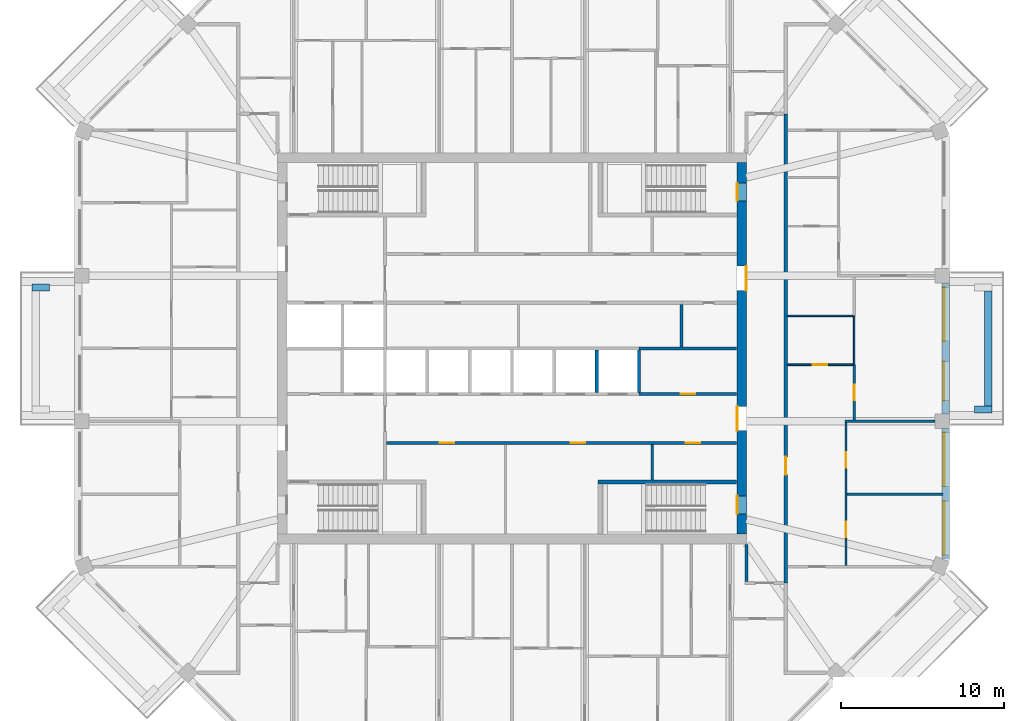
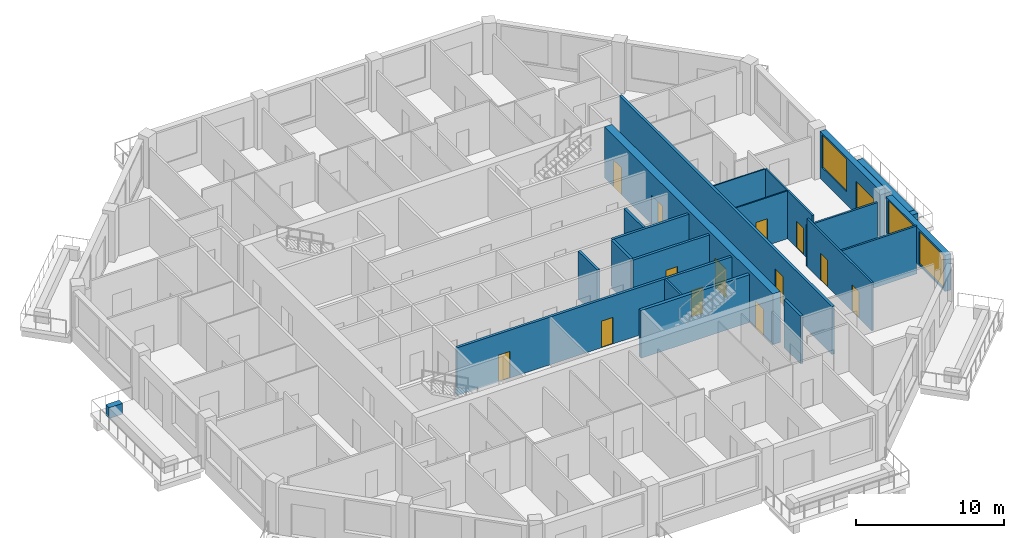
# One storey, part 6 of 13: 23 walls, 14 doors, 3 windows, 17 openings.
"""IFC4 building model written with IfcOpenShell, lengths in metres."""

from ifc_helpers import new_model, si_unit, direction, frame, frame_2d, origin, place, context, subcontext, project, spatial, rectangle, extrude, material, layer, layer_set, type_object, element, fill, save


model = new_model("IFC4")

# Units and contexts
model_context = context("Model", 3, precision=1e-05, world=origin(), true_north=direction((0.0, 1.0)))
body_context = subcontext(model_context, "Body", "Model", "MODEL_VIEW")
ifc_project = project(units=[si_unit("LENGTHUNIT", "METRE"), si_unit("AREAUNIT", "SQUARE_METRE"), si_unit("VOLUMEUNIT", "CUBIC_METRE"), si_unit("PLANEANGLEUNIT", "RADIAN"), si_unit("MASSUNIT", "GRAM", prefix="KILO")], contexts=[model_context])

# Site, building, storey
site_placement = place(None, origin())
site = spatial("IfcSite", under=ifc_project, at=site_placement, CompositionType="ELEMENT")
building_placement = place(site_placement, origin())
building = spatial("IfcBuilding", under=site, at=building_placement, Name="Msitu Wima Residences", CompositionType="ELEMENT")
storey_placement = place(building_placement, frame((0.0, 0.0, 285.300048828125)))
storey = spatial("IfcBuildingStorey", under=building, at=storey_placement, Name="L66", CompositionType="ELEMENT", Elevation=285.300048828125)

# Walls
ifc_material_1 = material(Name="Facing brick")
ifc_layer_1 = layer(ifc_material_1, 0.06494140625, Name="Facing brick")
ifc_material_2 = material(Name="Concrete C40/50", Category="concrete")
ifc_layer_2 = layer(ifc_material_2, 0.156005859375, Name="Concrete C40/50")
ifc_material_3 = material(Name="Waterproofing membrane")
ifc_layer_3 = layer(ifc_material_3, 0.00390625, Name="Waterproofing membrane")
ifc_material_4 = material(Name="Planting soil and planting")
ifc_layer_4 = layer(ifc_material_4, 0.22509765625, Name="Planting soil and planting")
ifc_layer_set_1 = layer_set([ifc_layer_1, ifc_layer_2, ifc_layer_3, ifc_layer_4], Name="Concrete C40/50")
wall_type_1 = type_object("IfcWallType", Name="Balcony planter PLANTER PL450", PredefinedType="USERDEFINED", material=ifc_layer_set_1)
wall_1_placement = place(storey_placement, frame((29.22509765625, -3.5185546875, 0.0), z_axis=(0.0, 0.0, 1.0), x_axis=(0.0, 1.0, 0.0)))
element("IfcWall", 1, at=wall_1_placement, inside=storey, type_object=wall_type_1, Name="Balcony planter E1 L66", ObjectType="PLANTER", PredefinedType="USERDEFINED", context=body_context, shape_type="SweptSolid", body=[
    extrude(rectangle(XDim=7.037109375, YDim=0.449951171875, at=frame_2d((3.5185546875, 0.0))), origin(), (0.0, 0.0, 1.0), 0.89990234375),
])
for number, where, z_axis, x_axis, name in (
    (2, (28.39990234375, -3.74365234375, 0.0), (0.0, 0.0, 1.0), (1.0, 0.0, 0.0), "Balcony planter E1 L66"),
    (3, (-28.39990234375, 3.74365234375, 0.0), (0.0, 0.0, 1.0), (-1.0, 0.0, 0.0), "Balcony planter W1 L66"),
):
    element("IfcWall", number, at=place(storey_placement, frame(where, z_axis=z_axis, x_axis=x_axis)), inside=storey, type_object=wall_type_1, Name=name, ObjectType="PLANTER", PredefinedType="USERDEFINED", context=body_context, shape_type="SweptSolid", body=[
        extrude(rectangle(XDim=1.050048828125, YDim=0.449951171875, at=frame_2d((0.52490234375, 0.0))), origin(), (0.0, 0.0, 1.0), 0.89990234375),
    ])

# Wall, openings, windows
ifc_material_5 = material(Name="Brick (red buff mix)", Category="masonry")
ifc_layer_5 = layer(ifc_material_5, 0.449951171875)
ifc_layer_set_2 = layer_set([ifc_layer_5], Name="Brick (red buff mix)")
wall_type_2 = type_object("IfcWallType", Name="Brick infill wall BW450", PredefinedType="SOLIDWALL", material=ifc_layer_set_2)
wall_2_placement = place(storey_placement, frame((26.625, -12.918701171875, 0.89990234375), z_axis=(0.0, 0.0, 1.0), x_axis=(0.0, 1.0, 0.0)))
wall_2 = element("IfcWall", 4, at=wall_2_placement, inside=storey, type_object=wall_type_2, Name="Brick infill wall L66 E0", PredefinedType="SOLIDWALL", context=body_context, shape_type="SweptSolid", body=[
    extrude(rectangle(XDim=8.0, YDim=0.449951171875, at=frame_2d((4.0, 0.0))), origin(), (0.0, 0.0, 1.0), 3.0),
])
opening_1_placement = place(wall_2_placement, frame((0.25, 0.0, 0.14990234375)))
opening_1 = element("IfcOpeningElement", 5, at=opening_1_placement, cuts=wall_2, Name="Opening W65-67.001", PredefinedType="OPENING", context=body_context, shape_type="SweptSolid", body=[
    extrude(rectangle(XDim=3.300048828125, YDim=2.699951171875, at=frame_2d((1.64990234375, 1.35009765625))), frame((0.0, 0.23486328125, 0.0), z_axis=(0.0, -1.0, 0.0), x_axis=(1.0, 0.0, 0.0)), (0.0, 0.0, 1.0), 0.469970703125),
])
opening_2_placement = place(wall_2_placement, frame((4.4501953125, 0.0, 0.14990234375)))
opening_2 = element("IfcOpeningElement", 6, at=opening_2_placement, cuts=wall_2, Name="Opening W65-67.002", PredefinedType="OPENING", context=body_context, shape_type="SweptSolid", body=[
    extrude(rectangle(XDim=3.300048828125, YDim=2.699951171875, at=frame_2d((1.64990234375, 1.35009765625))), frame((0.0, 0.23486328125, 0.0), z_axis=(0.0, -1.0, 0.0), x_axis=(1.0, 0.0, 0.0)), (0.0, 0.0, 1.0), 0.469970703125),
])
ifc_material_6 = material(Name="Anodised aluminium, bronze finish, clear low-emissivity double glazing", Category="aluminium")
window_type = type_object("IfcWindowType", Name="Window W3300x2700", PartitioningType="DOUBLE_PANEL_VERTICAL", PredefinedType="WINDOW", material=ifc_material_6)
window_1_placement = place(opening_1_placement, origin())
window_1 = element("IfcWindow", 7, at=window_1_placement, inside=storey, type_object=window_type, Name="Window L66 E0.1", OverallHeight=2.699951171875, OverallWidth=3.300048828125, PartitioningType="SINGLE_PANEL", PredefinedType="WINDOW", context=body_context, shape_type="SweptSolid", body=[
    extrude(rectangle(XDim=3.300048828125, YDim=2.699951171875, at=frame_2d((1.64990234375, 1.35009765625))), frame((0.0, 0.135009765625, 0.0), z_axis=(0.0, -1.0, 0.0), x_axis=(1.0, 0.0, 0.0)), (0.0, 0.0, 1.0), 0.06005859375),
])
fill(opening_1, window_1)
window_2_placement = place(opening_2_placement, origin())
window_2 = element("IfcWindow", 8, at=window_2_placement, inside=storey, type_object=window_type, Name="Window L66 E0.2", OverallHeight=2.699951171875, OverallWidth=3.300048828125, PartitioningType="SINGLE_PANEL", PredefinedType="WINDOW", context=body_context, shape_type="SweptSolid", body=[
    extrude(rectangle(XDim=3.300048828125, YDim=2.699951171875, at=frame_2d((1.64990234375, 1.35009765625))), frame((0.0, 0.135009765625, 0.0), z_axis=(0.0, -1.0, 0.0), x_axis=(1.0, 0.0, 0.0)), (0.0, 0.0, 1.0), 0.06005859375),
])
fill(opening_2, window_2)

# Wall, openings, door, window
wall_3_placement = place(storey_placement, frame((26.625, -4.0185546875, 0.0), z_axis=(0.0, 0.0, 1.0), x_axis=(0.0, 1.0, 0.0)))
wall_3 = element("IfcWall", 9, at=wall_3_placement, inside=storey, type_object=wall_type_2, Name="Brick infill wall L66 E1", PredefinedType="SOLIDWALL", context=body_context, shape_type="SweptSolid", body=[
    extrude(rectangle(XDim=8.037109375, YDim=0.449951171875, at=frame_2d((4.0185546875, 0.0))), origin(), (0.0, 0.0, 1.0), 3.89990234375),
])
opening_3_placement = place(wall_3_placement, frame((0.809326171875, 0.0, 0.0)))
opening_3 = element("IfcOpeningElement", 10, at=opening_3_placement, cuts=wall_3, Name="Opening D65-67.001", PredefinedType="OPENING", context=body_context, shape_type="SweptSolid", body=[
    extrude(rectangle(XDim=2.39990234375, YDim=2.699951171875, at=frame_2d((1.199951171875, 1.35009765625))), frame((0.0, 0.23486328125, 0.0), z_axis=(0.0, -1.0, 0.0), x_axis=(1.0, 0.0, 0.0)), (0.0, 0.0, 1.0), 0.469970703125),
])
opening_4_placement = place(wall_3_placement, frame((4.46875, 0.0, 1.050048828125)))
opening_4 = element("IfcOpeningElement", 11, at=opening_4_placement, cuts=wall_3, Name="Opening W65-67.003", PredefinedType="OPENING", context=body_context, shape_type="SweptSolid", body=[
    extrude(rectangle(XDim=3.300048828125, YDim=2.699951171875, at=frame_2d((1.64990234375, 1.35009765625))), frame((0.0, 0.23486328125, 0.0), z_axis=(0.0, -1.0, 0.0), x_axis=(1.0, 0.0, 0.0)), (0.0, 0.0, 1.0), 0.469970703125),
])
door_type_1 = type_object("IfcDoorType", Name="Balcony door D2400x2700", OperationType="SLIDING_TO_LEFT", PredefinedType="DOOR", material=ifc_material_6)
door_1_placement = place(opening_3_placement, origin())
door_1 = element("IfcDoor", 12, at=door_1_placement, inside=storey, type_object=door_type_1, Name="Balcony door L66 E1", OperationType="SINGLE_SWING_LEFT", OverallHeight=2.699951171875, OverallWidth=2.39990234375, PredefinedType="DOOR", context=body_context, shape_type="SweptSolid", body=[
    extrude(rectangle(XDim=2.39990234375, YDim=2.699951171875, at=frame_2d((1.199951171875, 1.35009765625))), frame((0.0, 0.1298828125, 0.0), z_axis=(0.0, -1.0, 0.0), x_axis=(1.0, 0.0, 0.0)), (0.0, 0.0, 1.0), 0.050048828125),
])
fill(opening_3, door_1)
window_3_placement = place(opening_4_placement, origin())
window_3 = element("IfcWindow", 13, at=window_3_placement, inside=storey, type_object=window_type, Name="Window L66 E1.2", OverallHeight=2.699951171875, OverallWidth=3.300048828125, PartitioningType="SINGLE_PANEL", PredefinedType="WINDOW", context=body_context, shape_type="SweptSolid", body=[
    extrude(rectangle(XDim=3.300048828125, YDim=2.699951171875, at=frame_2d((1.64990234375, 1.35009765625))), frame((0.0, 0.135009765625, 0.0), z_axis=(0.0, -1.0, 0.0), x_axis=(1.0, 0.0, 0.0)), (0.0, 0.0, 1.0), 0.06005859375),
])
fill(opening_4, window_3)

# Wall, openings, doors
ifc_material_7 = material(Name="Concrete C50/60", Category="concrete")
ifc_layer_6 = layer(ifc_material_7, 0.60009765625)
ifc_layer_set_3 = layer_set([ifc_layer_6], Name="Concrete C50/60")
wall_type_3 = type_object("IfcWallType", Name="Core wall CW600 C50/60", PredefinedType="SHEAR", material=ifc_layer_set_3)
wall_4_placement = place(storey_placement, frame((14.10009765625, -11.39990234375, 0.0), z_axis=(0.0, 0.0, 1.0), x_axis=(0.0, 1.0, 0.0)))
wall_4 = element("IfcWall", 14, at=wall_4_placement, inside=storey, type_object=wall_type_3, Name="Core wall", PredefinedType="SHEAR", context=body_context, shape_type="SweptSolid", body=[
    extrude(rectangle(XDim=22.7998046875, YDim=0.60009765625, at=frame_2d((11.39990234375, 0.0))), origin(), (0.0, 0.0, 1.0), 4.199951171875),
])
opening_5_placement = place(wall_4_placement, frame((20.449951171875, 0.0, 0.0)))
opening_5 = element("IfcOpeningElement", 15, at=opening_5_placement, cuts=wall_4, Name="Opening D65-67.096", PredefinedType="OPENING", context=body_context, shape_type="SweptSolid", body=[
    extrude(rectangle(XDim=1.10009765625, YDim=2.199951171875, at=frame_2d((0.550048828125, 1.10009765625))), frame((0.0, 0.31005859375, 0.0), z_axis=(0.0, -1.0, 0.0), x_axis=(1.0, 0.0, 0.0)), (0.0, 0.0, 1.0), 0.6201171875),
])
opening_6_placement = place(wall_4_placement, frame((1.25, 0.0, 0.0)))
opening_6 = element("IfcOpeningElement", 16, at=opening_6_placement, cuts=wall_4, Name="Opening D65-67.097", PredefinedType="OPENING", context=body_context, shape_type="SweptSolid", body=[
    extrude(rectangle(XDim=1.10009765625, YDim=2.199951171875, at=frame_2d((0.550048828125, 1.10009765625))), frame((0.0, 0.31005859375, 0.0), z_axis=(0.0, -1.0, 0.0), x_axis=(1.0, 0.0, 0.0)), (0.0, 0.0, 1.0), 0.6201171875),
])
opening_7_placement = place(wall_4_placement, frame((14.949951171875, 0.0, 0.0)))
opening_7 = element("IfcOpeningElement", 17, at=opening_7_placement, cuts=wall_4, Name="Opening D65-67.086", PredefinedType="OPENING", context=body_context, shape_type="SweptSolid", body=[
    extrude(rectangle(XDim=1.5, YDim=2.39990234375, at=frame_2d((0.75, 1.199951171875))), frame((0.0, 0.31005859375, 0.0), z_axis=(0.0, -1.0, 0.0), x_axis=(1.0, 0.0, 0.0)), (0.0, 0.0, 1.0), 0.6201171875),
])
opening_8_placement = place(wall_4_placement, frame((6.35009765625, 0.0, 0.0)))
opening_8 = element("IfcOpeningElement", 18, at=opening_8_placement, cuts=wall_4, Name="Opening D65-67.087", PredefinedType="OPENING", context=body_context, shape_type="SweptSolid", body=[
    extrude(rectangle(XDim=1.5, YDim=2.39990234375, at=frame_2d((0.75, 1.199951171875))), frame((0.0, 0.31005859375, 0.0), z_axis=(0.0, -1.0, 0.0), x_axis=(1.0, 0.0, 0.0)), (0.0, 0.0, 1.0), 0.6201171875),
])
ifc_material_8 = material(Name="Steel framed glazed door, fire resisting", Category="steel")
door_type_2 = type_object("IfcDoorType", Name="Lobby door D07 1500x2400", OperationType="DOUBLE_DOOR_SINGLE_SWING", PredefinedType="DOOR", material=ifc_material_8)
door_2_placement = place(opening_7_placement, origin())
door_2 = element("IfcDoor", 19, at=door_2_placement, inside=storey, type_object=door_type_2, Name="Lobby door", OperationType="DOUBLE_DOOR_SINGLE_SWING", OverallHeight=2.39990234375, OverallWidth=1.5, PredefinedType="DOOR", context=body_context, shape_type="SweptSolid", body=[
    extrude(rectangle(XDim=1.5, YDim=2.39990234375, at=frame_2d((0.75, 1.199951171875))), frame((0.0, -0.2451171875, 0.0), z_axis=(0.0, -1.0, 0.0), x_axis=(1.0, 0.0, 0.0)), (0.0, 0.0, 1.0), 0.050048828125),
])
fill(opening_7, door_2)
door_3_placement = place(opening_8_placement, origin())
door_3 = element("IfcDoor", 20, at=door_3_placement, inside=storey, type_object=door_type_2, Name="Lobby door", OperationType="DOUBLE_DOOR_SINGLE_SWING", OverallHeight=2.39990234375, OverallWidth=1.5, PredefinedType="DOOR", context=body_context, shape_type="SweptSolid", body=[
    extrude(rectangle(XDim=1.5, YDim=2.39990234375, at=frame_2d((0.75, 1.199951171875))), frame((0.0, 0.294921875, 0.0), z_axis=(0.0, -1.0, 0.0), x_axis=(1.0, 0.0, 0.0)), (0.0, 0.0, 1.0), 0.050048828125),
])
fill(opening_8, door_3)
ifc_material_9 = material(Name="Steel door, fire resisting, panic bar", Category="steel")
door_type_3 = type_object("IfcDoorType", Name="Stair door D06 1100x2200", OperationType="SINGLE_SWING_LEFT", PredefinedType="DOOR", material=ifc_material_9)
door_4_placement = place(opening_5_placement, origin())
door_4 = element("IfcDoor", 21, at=door_4_placement, inside=storey, type_object=door_type_3, Name="Stair door", OperationType="SINGLE_SWING_LEFT", OverallHeight=2.199951171875, OverallWidth=1.10009765625, PredefinedType="DOOR", context=body_context, shape_type="SweptSolid", body=[
    extrude(rectangle(XDim=1.10009765625, YDim=2.199951171875, at=frame_2d((0.550048828125, 1.10009765625))), frame((0.0, 0.294921875, 0.0), z_axis=(0.0, -1.0, 0.0), x_axis=(1.0, 0.0, 0.0)), (0.0, 0.0, 1.0), 0.050048828125),
])
fill(opening_5, door_4)
door_5_placement = place(opening_6_placement, origin())
door_5 = element("IfcDoor", 22, at=door_5_placement, inside=storey, type_object=door_type_3, Name="Stair door", OperationType="SINGLE_SWING_RIGHT", OverallHeight=2.199951171875, OverallWidth=1.10009765625, PredefinedType="DOOR", context=body_context, shape_type="SweptSolid", body=[
    extrude(rectangle(XDim=1.10009765625, YDim=2.199951171875, at=frame_2d((0.550048828125, 1.10009765625))), frame((0.0, 0.294921875, 0.0), z_axis=(0.0, -1.0, 0.0), x_axis=(1.0, 0.0, 0.0)), (0.0, 0.0, 1.0), 0.050048828125),
])
fill(opening_6, door_5)

ifc_material_10 = material(Name="Plaster")
ifc_layer_7 = layer(ifc_material_10, 0.011962890625, Name="Plaster")
ifc_material_11 = material(Name="Concrete blockwork", Category="masonry")
ifc_layer_8 = layer(ifc_material_11, 0.176025390625, Name="Concrete blockwork")
ifc_layer_9 = layer(ifc_material_10, 0.011962890625, Name="Plaster")
ifc_layer_set_4 = layer_set([ifc_layer_7, ifc_layer_8, ifc_layer_9], Name="Concrete blockwork")
wall_type_4 = type_object("IfcWallType", Name="Corridor wall FW200", PredefinedType="PARTITIONING", material=ifc_layer_set_4)
wall_5_placement = place(storey_placement, frame((-7.699951171875, -5.800048828125, 0.0), z_axis=(0.0, 0.0, 1.0), x_axis=(1.0, 0.0, 0.0)))
wall_5 = element("IfcWall", 23, at=wall_5_placement, inside=storey, type_object=wall_type_4, Name="Corridor wall", PredefinedType="PARTITIONING", context=body_context, shape_type="SweptSolid", body=[
    extrude(rectangle(XDim=21.469970703125, YDim=0.199951171875, at=frame_2d((10.73486328125, 0.0))), origin(), (0.0, 0.0, 1.0), 3.949951171875),
])
opening_9_placement = place(wall_5_placement, frame((3.25, 0.0, 0.0)))
opening_9 = element("IfcOpeningElement", 24, at=opening_9_placement, cuts=wall_5, Name="Opening D65-67.083", PredefinedType="OPENING", context=body_context, shape_type="SweptSolid", body=[
    extrude(rectangle(XDim=0.89990234375, YDim=2.199951171875, at=frame_2d((0.449951171875, 1.10009765625))), frame((0.0, 0.10986328125, 0.0), z_axis=(0.0, -1.0, 0.0), x_axis=(1.0, 0.0, 0.0)), (0.0, 0.0, 1.0), 0.219970703125),
])
opening_10_placement = place(wall_5_placement, frame((11.300048828125, 0.0, 0.0)))
opening_10 = element("IfcOpeningElement", 25, at=opening_10_placement, cuts=wall_5, Name="Opening D65-67.084", PredefinedType="OPENING", context=body_context, shape_type="SweptSolid", body=[
    extrude(rectangle(XDim=0.89990234375, YDim=2.199951171875, at=frame_2d((0.449951171875, 1.10009765625))), frame((0.0, 0.10986328125, 0.0), z_axis=(0.0, -1.0, 0.0), x_axis=(1.0, 0.0, 0.0)), (0.0, 0.0, 1.0), 0.219970703125),
])
opening_11_placement = place(wall_5_placement, frame((18.35009765625, 0.0, 0.0)))
opening_11 = element("IfcOpeningElement", 26, at=opening_11_placement, cuts=wall_5, Name="Opening D65-67.085", PredefinedType="OPENING", context=body_context, shape_type="SweptSolid", body=[
    extrude(rectangle(XDim=0.89990234375, YDim=2.199951171875, at=frame_2d((0.449951171875, 1.10009765625))), frame((0.0, 0.10986328125, 0.0), z_axis=(0.0, -1.0, 0.0), x_axis=(1.0, 0.0, 0.0)), (0.0, 0.0, 1.0), 0.219970703125),
])
ifc_material_12 = material(Name="Timber flush door", Category="wood")
door_type_4 = type_object("IfcDoorType", Name="Service door D05 900x2200", OperationType="SINGLE_SWING_LEFT", PredefinedType="DOOR", material=ifc_material_12)
door_6_placement = place(opening_9_placement, origin())
door_6 = element("IfcDoor", 27, at=door_6_placement, inside=storey, type_object=door_type_4, Name="Service door", OperationType="SINGLE_SWING_RIGHT", OverallHeight=2.199951171875, OverallWidth=0.89990234375, PredefinedType="DOOR", context=body_context, shape_type="SweptSolid", body=[
    extrude(rectangle(XDim=0.89990234375, YDim=2.199951171875, at=frame_2d((0.449951171875, 1.10009765625))), frame((0.0, 0.02490234375, 0.0), z_axis=(0.0, -1.0, 0.0), x_axis=(1.0, 0.0, 0.0)), (0.0, 0.0, 1.0), 0.050048828125),
])
fill(opening_9, door_6)
door_7_placement = place(opening_10_placement, origin())
door_7 = element("IfcDoor", 28, at=door_7_placement, inside=storey, type_object=door_type_4, Name="Service door", OperationType="SINGLE_SWING_LEFT", OverallHeight=2.199951171875, OverallWidth=0.89990234375, PredefinedType="DOOR", context=body_context, shape_type="SweptSolid", body=[
    extrude(rectangle(XDim=0.89990234375, YDim=2.199951171875, at=frame_2d((0.449951171875, 1.10009765625))), frame((0.0, 0.02490234375, 0.0), z_axis=(0.0, -1.0, 0.0), x_axis=(1.0, 0.0, 0.0)), (0.0, 0.0, 1.0), 0.050048828125),
])
fill(opening_10, door_7)
door_8_placement = place(opening_11_placement, origin())
door_8 = element("IfcDoor", 29, at=door_8_placement, inside=storey, type_object=door_type_4, Name="Service door", OperationType="SINGLE_SWING_RIGHT", OverallHeight=2.199951171875, OverallWidth=0.89990234375, PredefinedType="DOOR", context=body_context, shape_type="SweptSolid", body=[
    extrude(rectangle(XDim=0.89990234375, YDim=2.199951171875, at=frame_2d((0.449951171875, 1.10009765625))), frame((0.0, 0.02490234375, 0.0), z_axis=(0.0, -1.0, 0.0), x_axis=(1.0, 0.0, 0.0)), (0.0, 0.0, 1.0), 0.050048828125),
])
fill(opening_11, door_8)

# Wall
wall_6_placement = place(storey_placement, frame((14.39990234375, -14.300048828125, 0.0), z_axis=(0.0, 0.0, 1.0), x_axis=(0.0, 1.0, 0.0)))
element("IfcWall", 30, at=wall_6_placement, inside=storey, type_object=wall_type_4, Name="Corridor wall", PredefinedType="PARTITIONING", context=body_context, shape_type="SweptSolid", body=[
    extrude(rectangle(XDim=2.27001953125, YDim=0.199951171875, at=frame_2d((1.135009765625, 0.0))), origin(), (0.0, 0.0, 1.0), 3.949951171875),
])

# Wall, opening, door
wall_7_placement = place(storey_placement, frame((16.800048828125, -14.39990234375, 0.0), z_axis=(0.0, 0.0, 1.0), x_axis=(0.0, 1.0, 0.0)))
wall_7 = element("IfcWall", 31, at=wall_7_placement, inside=storey, type_object=wall_type_4, Name="Corridor wall", PredefinedType="PARTITIONING", context=body_context, shape_type="SweptSolid", body=[
    extrude(rectangle(XDim=28.7998046875, YDim=0.199951171875, at=frame_2d((14.39990234375, 0.0))), origin(), (0.0, 0.0, 1.0), 3.949951171875),
])
opening_12_placement = place(wall_7_placement, frame((6.64990234375, 0.0, 0.0)))
opening_12 = element("IfcOpeningElement", 32, at=opening_12_placement, cuts=wall_7, Name="Opening D65-67.011", PredefinedType="OPENING", context=body_context, shape_type="SweptSolid", body=[
    extrude(rectangle(XDim=1.10009765625, YDim=2.39990234375, at=frame_2d((0.550048828125, 1.199951171875))), frame((0.0, 0.10986328125, 0.0), z_axis=(0.0, -1.0, 0.0), x_axis=(1.0, 0.0, 0.0)), (0.0, 0.0, 1.0), 0.219970703125),
])
ifc_material_13 = material(Name="Timber flush door, fire resisting, self-closing", Category="wood")
door_type_5 = type_object("IfcDoorType", Name="Flat entrance door D01 1100x2400", OperationType="SINGLE_SWING_LEFT", PredefinedType="DOOR", material=ifc_material_13)
door_9_placement = place(opening_12_placement, origin())
door_9 = element("IfcDoor", 33, at=door_9_placement, inside=storey, type_object=door_type_5, Name="Flat entrance door", OperationType="SINGLE_SWING_RIGHT", OverallHeight=2.39990234375, OverallWidth=1.10009765625, PredefinedType="DOOR", context=body_context, shape_type="SweptSolid", body=[
    extrude(rectangle(XDim=1.10009765625, YDim=2.39990234375, at=frame_2d((0.550048828125, 1.199951171875))), frame((0.0, 0.02490234375, 0.0), z_axis=(0.0, -1.0, 0.0), x_axis=(1.0, 0.0, 0.0)), (0.0, 0.0, 1.0), 0.050048828125),
])
fill(opening_12, door_9)

# Wall
ifc_layer_10 = layer(ifc_material_10, 0.011962890625, Name="Plaster")
ifc_layer_11 = layer(ifc_material_11, 0.1259765625, Name="Concrete blockwork")
ifc_layer_12 = layer(ifc_material_10, 0.011962890625, Name="Plaster")
ifc_layer_set_5 = layer_set([ifc_layer_10, ifc_layer_11, ifc_layer_12], Name="Concrete blockwork")
wall_type_5 = type_object("IfcWallType", Name="Partition PW150", PredefinedType="PARTITIONING", material=ifc_layer_set_5)
wall_8_placement = place(storey_placement, frame((8.60009765625, -8.074951171875, 0.0), z_axis=(0.0, 0.0, 1.0), x_axis=(0.0, 1.0, 0.0)))
element("IfcWall", 34, at=wall_8_placement, inside=storey, type_object=wall_type_5, Name="Partition", PredefinedType="PARTITIONING", context=body_context, shape_type="SweptSolid", body=[
    extrude(rectangle(XDim=2.175048828125, YDim=0.14990234375, at=frame_2d((1.08740234375, 0.0))), origin(), (0.0, 0.0, 1.0), 3.949951171875),
])

# Wall, openings, doors
wall_9_placement = place(storey_placement, frame((20.5, -13.330810546875, 0.0), z_axis=(0.0, 0.0, 1.0), x_axis=(0.0, 1.0, 0.0)))
wall_9 = element("IfcWall", 35, at=wall_9_placement, inside=storey, type_object=wall_type_5, Name="Partition", PredefinedType="PARTITIONING", context=body_context, shape_type="SweptSolid", body=[
    extrude(rectangle(XDim=8.787109375, YDim=0.14990234375, at=frame_2d((4.3935546875, 0.0))), origin(), (0.0, 0.0, 1.0), 3.949951171875),
])
opening_13_placement = place(wall_9_placement, frame((1.75, 0.0, 0.0)))
opening_13 = element("IfcOpeningElement", 36, at=opening_13_placement, cuts=wall_9, Name="Opening D65-67.015", PredefinedType="OPENING", context=body_context, shape_type="SweptSolid", body=[
    extrude(rectangle(XDim=0.949951171875, YDim=2.199951171875, at=frame_2d((0.47509765625, 1.10009765625))), frame((0.0, 0.0849609375, 0.0), z_axis=(0.0, -1.0, 0.0), x_axis=(1.0, 0.0, 0.0)), (0.0, 0.0, 1.0), 0.169921875),
])
opening_14_placement = place(wall_9_placement, frame((6.0, 0.0, 0.0)))
opening_14 = element("IfcOpeningElement", 37, at=opening_14_placement, cuts=wall_9, Name="Opening D65-67.016", PredefinedType="OPENING", context=body_context, shape_type="SweptSolid", body=[
    extrude(rectangle(XDim=0.949951171875, YDim=2.199951171875, at=frame_2d((0.47509765625, 1.10009765625))), frame((0.0, 0.0849609375, 0.0), z_axis=(0.0, -1.0, 0.0), x_axis=(1.0, 0.0, 0.0)), (0.0, 0.0, 1.0), 0.169921875),
])
door_type_6 = type_object("IfcDoorType", Name="Room door D12 950x2200", OperationType="SINGLE_SWING_LEFT", PredefinedType="DOOR", material=ifc_material_12)
door_10_placement = place(opening_13_placement, origin())
door_10 = element("IfcDoor", 38, at=door_10_placement, inside=storey, type_object=door_type_6, Name="Room door", OperationType="SINGLE_SWING_LEFT", OverallHeight=2.199951171875, OverallWidth=0.949951171875, PredefinedType="DOOR", context=body_context, shape_type="SweptSolid", body=[
    extrude(rectangle(XDim=0.949951171875, YDim=2.199951171875, at=frame_2d((0.47509765625, 1.10009765625))), frame((0.0, 0.02490234375, 0.0), z_axis=(0.0, -1.0, 0.0), x_axis=(1.0, 0.0, 0.0)), (0.0, 0.0, 1.0), 0.050048828125),
])
fill(opening_13, door_10)
door_11_placement = place(opening_14_placement, origin())
door_11 = element("IfcDoor", 39, at=door_11_placement, inside=storey, type_object=door_type_6, Name="Room door", OperationType="SINGLE_SWING_RIGHT", OverallHeight=2.199951171875, OverallWidth=0.949951171875, PredefinedType="DOOR", context=body_context, shape_type="SweptSolid", body=[
    extrude(rectangle(XDim=0.949951171875, YDim=2.199951171875, at=frame_2d((0.47509765625, 1.10009765625))), frame((0.0, 0.02490234375, 0.0), z_axis=(0.0, -1.0, 0.0), x_axis=(1.0, 0.0, 0.0)), (0.0, 0.0, 1.0), 0.050048828125),
])
fill(opening_14, door_11)

# Walls
wall_10_placement = place(storey_placement, frame((20.574951171875, -8.937255859375, 0.0), z_axis=(0.0, 0.0, 1.0), x_axis=(1.0, 0.0, 0.0)))
element("IfcWall", 40, at=wall_10_placement, inside=storey, type_object=wall_type_5, Name="Partition", PredefinedType="PARTITIONING", context=body_context, shape_type="SweptSolid", body=[
    extrude(rectangle(XDim=5.880126953125, YDim=0.14990234375, at=frame_2d((2.93994140625, 0.0))), origin(), (0.0, 0.0, 1.0), 3.949951171875),
])
wall_11_placement = place(storey_placement, frame((20.425048828125, -4.46875, 0.0), z_axis=(0.0, 0.0, 1.0), x_axis=(1.0, 0.0, 0.0)))
element("IfcWall", 41, at=wall_11_placement, inside=storey, type_object=wall_type_5, Name="Partition", PredefinedType="PARTITIONING", context=body_context, shape_type="SweptSolid", body=[
    extrude(rectangle(XDim=5.52490234375, YDim=0.14990234375, at=frame_2d((2.762451171875, 0.0))), origin(), (0.0, 0.0, 1.0), 3.349853515625),
])

# Wall, opening, door
wall_12_placement = place(storey_placement, frame((21.0, -4.3935546875, 0.0), z_axis=(0.0, 0.0, 1.0), x_axis=(0.0, 1.0, 0.0)))
wall_12 = element("IfcWall", 42, at=wall_12_placement, inside=storey, type_object=wall_type_5, Name="Partition", PredefinedType="PARTITIONING", context=body_context, shape_type="SweptSolid", body=[
    extrude(rectangle(XDim=3.3935546875, YDim=0.14990234375, at=frame_2d((1.69677734375, 0.0))), origin(), (0.0, 0.0, 1.0), 3.949951171875),
])
opening_15_placement = place(wall_12_placement, frame((1.199951171875, 0.0, 0.0)))
opening_15 = element("IfcOpeningElement", 43, at=opening_15_placement, cuts=wall_12, Name="Opening D65-67.017", PredefinedType="OPENING", context=body_context, shape_type="SweptSolid", body=[
    extrude(rectangle(XDim=0.949951171875, YDim=2.199951171875, at=frame_2d((0.47509765625, 1.10009765625))), frame((0.0, 0.0849609375, 0.0), z_axis=(0.0, -1.0, 0.0), x_axis=(1.0, 0.0, 0.0)), (0.0, 0.0, 1.0), 0.169921875),
])
door_12_placement = place(opening_15_placement, origin())
door_12 = element("IfcDoor", 44, at=door_12_placement, inside=storey, type_object=door_type_6, Name="Room door", OperationType="SINGLE_SWING_RIGHT", OverallHeight=2.199951171875, OverallWidth=0.949951171875, PredefinedType="DOOR", context=body_context, shape_type="SweptSolid", body=[
    extrude(rectangle(XDim=0.949951171875, YDim=2.199951171875, at=frame_2d((0.47509765625, 1.10009765625))), frame((0.0, 0.02490234375, 0.0), z_axis=(0.0, -1.0, 0.0), x_axis=(1.0, 0.0, 0.0)), (0.0, 0.0, 1.0), 0.050048828125),
])
fill(opening_15, door_12)

ifc_layer_13 = layer(ifc_material_10, 0.011962890625, Name="Plaster")
ifc_material_14 = material(Name="Reinforced concrete blockwork", Category="masonry")
ifc_layer_14 = layer(ifc_material_14, 0.176025390625, Name="Reinforced concrete blockwork")
ifc_layer_15 = layer(ifc_material_10, 0.011962890625, Name="Plaster")
ifc_layer_set_6 = layer_set([ifc_layer_13, ifc_layer_14, ifc_layer_15], Name="Reinforced concrete blockwork")
wall_type_6 = type_object("IfcWallType", Name="Plant and riser wall PL200", PredefinedType="PARTITIONING", material=ifc_layer_set_6)
wall_13_placement = place(storey_placement, frame((7.800048828125, -2.800048828125, 0.0), z_axis=(0.0, 0.0, 1.0), x_axis=(1.0, 0.0, 0.0)))
wall_13 = element("IfcWall", 45, at=wall_13_placement, inside=storey, type_object=wall_type_6, Name="Plant and riser wall", PredefinedType="PARTITIONING", context=body_context, shape_type="SweptSolid", body=[
    extrude(rectangle(XDim=5.969970703125, YDim=0.199951171875, at=frame_2d((2.98486328125, 0.0))), origin(), (0.0, 0.0, 1.0), 3.949951171875),
])
opening_16_placement = place(wall_13_placement, frame((2.550048828125, 0.0, 0.0)))
opening_16 = element("IfcOpeningElement", 46, at=opening_16_placement, cuts=wall_13, Name="Opening D65-67.074", PredefinedType="OPENING", context=body_context, shape_type="SweptSolid", body=[
    extrude(rectangle(XDim=0.89990234375, YDim=2.199951171875, at=frame_2d((0.449951171875, 1.10009765625))), frame((0.0, 0.10986328125, 0.0), z_axis=(0.0, -1.0, 0.0), x_axis=(1.0, 0.0, 0.0)), (0.0, 0.0, 1.0), 0.219970703125),
])
door_13_placement = place(opening_16_placement, origin())
door_13 = element("IfcDoor", 47, at=door_13_placement, inside=storey, type_object=door_type_4, Name="Service door", OperationType="SINGLE_SWING_LEFT", OverallHeight=2.199951171875, OverallWidth=0.89990234375, PredefinedType="DOOR", context=body_context, shape_type="SweptSolid", body=[
    extrude(rectangle(XDim=0.89990234375, YDim=2.199951171875, at=frame_2d((0.449951171875, 1.10009765625))), frame((0.0, 0.02490234375, 0.0), z_axis=(0.0, -1.0, 0.0), x_axis=(1.0, 0.0, 0.0)), (0.0, 0.0, 1.0), 0.050048828125),
])
fill(opening_16, door_13)

# Walls
wall_14_placement = place(storey_placement, frame((7.800048828125, 0.0, 0.0), z_axis=(0.0, 0.0, 1.0), x_axis=(1.0, 0.0, 0.0)))
element("IfcWall", 48, at=wall_14_placement, inside=storey, type_object=wall_type_6, Name="Plant and riser wall", PredefinedType="PARTITIONING", context=body_context, shape_type="SweptSolid", body=[
    extrude(rectangle(XDim=5.969970703125, YDim=0.199951171875, at=frame_2d((2.98486328125, 0.0))), origin(), (0.0, 0.0, 1.0), 3.949951171875),
])
wall_15_placement = place(storey_placement, frame((10.39990234375, 0.10009765625, 0.0), z_axis=(0.0, 0.0, 1.0), x_axis=(0.0, 1.0, 0.0)))
element("IfcWall", 49, at=wall_15_placement, inside=storey, type_object=wall_type_6, Name="Plant and riser wall", PredefinedType="PARTITIONING", context=body_context, shape_type="SweptSolid", body=[
    extrude(rectangle(XDim=2.599853515625, YDim=0.199951171875, at=frame_2d((1.2998046875, 0.0))), origin(), (0.0, 0.0, 1.0), 3.949951171875),
])
ifc_material_15 = material(Name="Fire-rated board")
ifc_layer_16 = layer(ifc_material_15, 0.02490234375, Name="Fire-rated board")
ifc_material_16 = material(Name="Light-gauge stud framing with mineral wool")
ifc_layer_17 = layer(ifc_material_16, 0.14990234375, Name="Light-gauge stud framing with mineral wool")
ifc_layer_18 = layer(ifc_material_15, 0.02490234375, Name="Fire-rated board")
ifc_layer_set_7 = layer_set([ifc_layer_16, ifc_layer_17, ifc_layer_18], Name="Light-gauge stud framing with mineral wool")
wall_type_7 = type_object("IfcWallType", Name="Shaft wall SH200", PredefinedType="PARTITIONING", material=ifc_layer_set_7)
for number, where, z_axis, x_axis, name in (
    (50, (5.199951171875, -2.699951171875, 0.0), (0.0, 0.0, 1.0), (0.0, 1.0, 0.0), "Shaft wall"),
    (51, (7.800048828125, -2.699951171875, 0.0), (0.0, 0.0, 1.0), (0.0, 1.0, 0.0), "Shaft wall"),
):
    element("IfcWall", number, at=place(storey_placement, frame(where, z_axis=z_axis, x_axis=x_axis)), inside=storey, type_object=wall_type_7, Name=name, PredefinedType="PARTITIONING", context=body_context, shape_type="SweptSolid", body=[
        extrude(rectangle(XDim=2.599853515625, YDim=0.199951171875, at=frame_2d((1.2998046875, 0.0))), origin(), (0.0, 0.0, 1.0), 3.949951171875),
    ])
ifc_layer_19 = layer(ifc_material_7, 0.25)
ifc_layer_set_8 = layer_set([ifc_layer_19], Name="Concrete C50/60")
wall_type_8 = type_object("IfcWallType", Name="Stair enclosure wall SW250", PredefinedType="SHEAR", material=ifc_layer_set_8)
wall_16_placement = place(storey_placement, frame((5.27490234375, -8.199951171875, 0.0), z_axis=(0.0, 0.0, 1.0), x_axis=(1.0, 0.0, 0.0)))
element("IfcWall", 52, at=wall_16_placement, inside=storey, type_object=wall_type_8, Name="Stair enclosure wall", PredefinedType="SHEAR", context=body_context, shape_type="SweptSolid", body=[
    extrude(rectangle(XDim=8.4951171875, YDim=0.25, at=frame_2d((4.24755859375, 0.0))), origin(), (0.0, 0.0, 1.0), 3.949951171875),
])

# Wall, opening, door
ifc_material_17 = material(Name="Ceramic tiles")
ifc_layer_20 = layer(ifc_material_17, 0.008056640625, Name="Ceramic tiles")
ifc_material_18 = material(Name="Moisture-resistant board")
ifc_layer_21 = layer(ifc_material_18, 0.012451171875, Name="Moisture-resistant board")
ifc_layer_22 = layer(ifc_material_16, 0.06689453125, Name="Light-gauge stud framing with mineral wool")
ifc_layer_23 = layer(ifc_material_18, 0.012451171875, Name="Moisture-resistant board")
ifc_layer_set_9 = layer_set([ifc_layer_20, ifc_layer_21, ifc_layer_22, ifc_layer_23], Name="Light-gauge stud framing with mineral wool")
wall_type_9 = type_object("IfcWallType", Name="Wet wall PW100", PredefinedType="PARTITIONING", material=ifc_layer_set_9)
wall_17_placement = place(storey_placement, frame((16.89990234375, -1.0, 0.0), z_axis=(0.0, 0.0, 1.0), x_axis=(1.0, 0.0, 0.0)))
wall_17 = element("IfcWall", 53, at=wall_17_placement, inside=storey, type_object=wall_type_9, Name="Wet wall", PredefinedType="PARTITIONING", context=body_context, shape_type="SweptSolid", body=[
    extrude(rectangle(XDim=4.050048828125, YDim=0.10009765625, at=frame_2d((2.02490234375, 0.0))), origin(), (0.0, 0.0, 1.0), 3.949951171875),
])
opening_17_placement = place(wall_17_placement, frame((1.550048828125, 0.0, 0.0)))
opening_17 = element("IfcOpeningElement", 54, at=opening_17_placement, cuts=wall_17, Name="Opening D65-67.014", PredefinedType="OPENING", context=body_context, shape_type="SweptSolid", body=[
    extrude(rectangle(XDim=0.89990234375, YDim=2.199951171875, at=frame_2d((0.449951171875, 1.10009765625))), frame((0.0, 0.06005859375, 0.0), z_axis=(0.0, -1.0, 0.0), x_axis=(1.0, 0.0, 0.0)), (0.0, 0.0, 1.0), 0.1201171875),
])
ifc_material_19 = material(Name="Timber flush door, moisture resistant", Category="wood")
door_type_7 = type_object("IfcDoorType", Name="Bathroom door D03 900x2200", OperationType="SINGLE_SWING_LEFT", PredefinedType="DOOR", material=ifc_material_19)
door_14_placement = place(opening_17_placement, origin())
door_14 = element("IfcDoor", 55, at=door_14_placement, inside=storey, type_object=door_type_7, Name="Bathroom door", OperationType="SINGLE_SWING_LEFT", OverallHeight=2.199951171875, OverallWidth=0.89990234375, PredefinedType="DOOR", context=body_context, shape_type="SweptSolid", body=[
    extrude(rectangle(XDim=0.89990234375, YDim=2.199951171875, at=frame_2d((0.449951171875, 1.10009765625))), frame((0.0, 0.02490234375, 0.0), z_axis=(0.0, -1.0, 0.0), x_axis=(1.0, 0.0, 0.0)), (0.0, 0.0, 1.0), 0.050048828125),
])
fill(opening_17, door_14)

# Walls
wall_18_placement = place(storey_placement, frame((16.89990234375, 2.0, 0.0), z_axis=(0.0, 0.0, 1.0), x_axis=(1.0, 0.0, 0.0)))
element("IfcWall", 56, at=wall_18_placement, inside=storey, type_object=wall_type_9, Name="Wet wall", PredefinedType="PARTITIONING", context=body_context, shape_type="SweptSolid", body=[
    extrude(rectangle(XDim=4.025146484375, YDim=0.10009765625, at=frame_2d((2.0126953125, 0.0))), origin(), (0.0, 0.0, 1.0), 3.949951171875),
])
wall_19_placement = place(storey_placement, frame((21.0, -1.0, 0.0), z_axis=(0.0, 0.0, 1.0), x_axis=(0.0, 1.0, 0.0)))
element("IfcWall", 57, at=wall_19_placement, inside=storey, type_object=wall_type_9, Name="Wet wall", PredefinedType="PARTITIONING", context=body_context, shape_type="SweptSolid", body=[
    extrude(rectangle(XDim=3.0, YDim=0.10009765625, at=frame_2d((1.5, 0.0))), origin(), (0.0, 0.0, 1.0), 3.949951171875),
])

save(model, "model.ifc")
